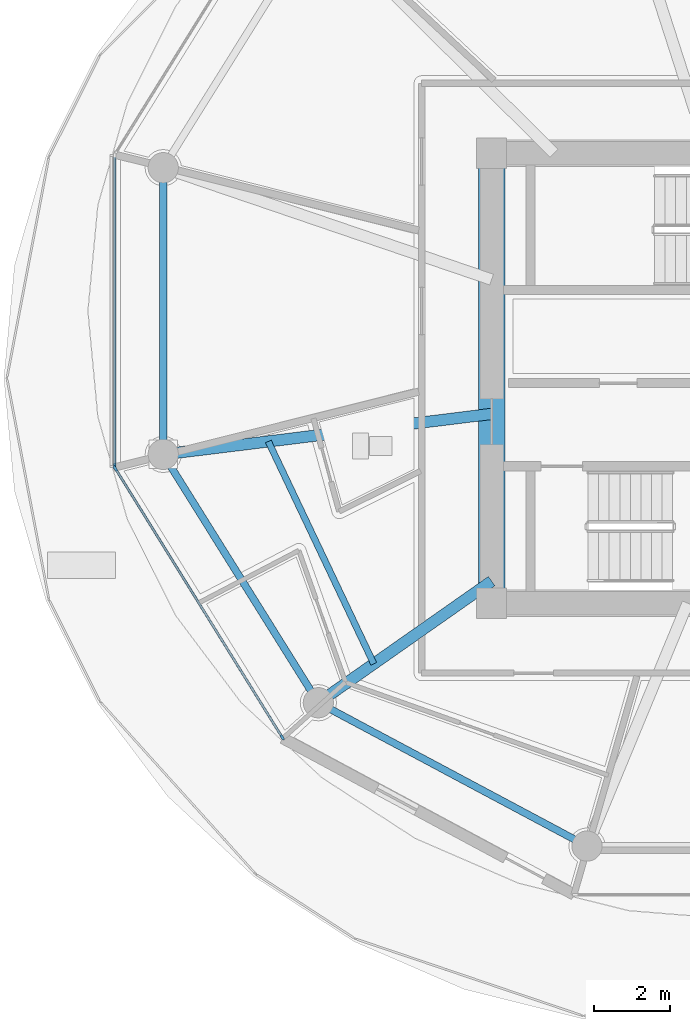
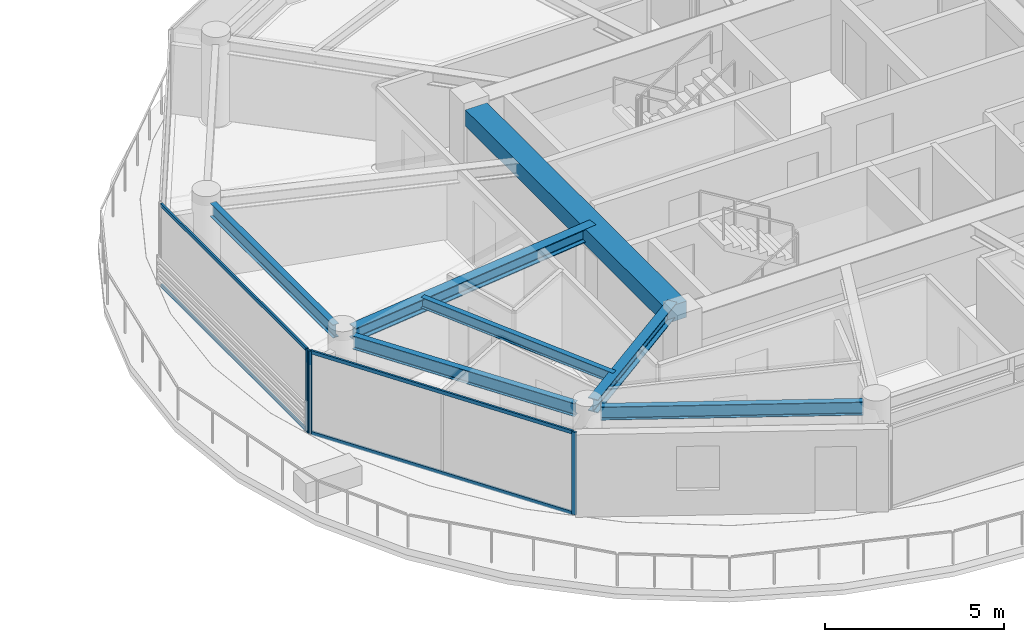
# One storey, part 6 of 28: 7 beams, 7 members, 2 elements without a shape of their own.
"""IFC4 building model written with IfcOpenShell, lengths in metres."""

import ifcopenshell
import ifcopenshell.guid

model = None  # the IFC model being written
_history = None  # IfcOwnerHistory: only IFC2X3 demands one
_inside = {}  # id of a spatial element -> (the spatial element, [elements in it])
_under = {}  # id of a project, library or spatial element -> (it, [spatial elements below it])
_declared = {}  # id of a project -> (the project, [libraries it declares])
_typed = {}  # id of a type object -> (the type object, [elements of that type])
_made_of = {}  # id of a material, layer set ... -> (it, [elements and type objects made of it])


def new_model(schema):
    """Start an empty IFC model of exactly this schema.

    Asked for "IFC4X3", IfcOpenShell would pick the latest addendum, in which some entities
    have other attributes; the version numbers below select the first issue.
    IFC2X3 requires an IfcOwnerHistory on every rooted entity: one is made here for all.
    """
    global model, _history
    if schema == "IFC4X3":
        model = ifcopenshell.file(schema_version=(4, 3, 0, 0))
    else:
        model = ifcopenshell.file(schema=schema)
    _inside.clear()
    _under.clear()
    _declared.clear()
    _typed.clear()
    _made_of.clear()
    _history = None
    if model.schema == "IFC2X3":
        org = make("IfcOrganization", Name="unknown")
        user = make(
            "IfcPersonAndOrganization",
            ThePerson=make("IfcPerson", FamilyName="unknown"),
            TheOrganization=org,
        )
        app = make(
            "IfcApplication",
            ApplicationDeveloper=org,
            Version="unknown",
            ApplicationFullName="unknown",
            ApplicationIdentifier="unknown",
        )
        _history = make(
            "IfcOwnerHistory",
            OwningUser=user,
            OwningApplication=app,
            ChangeAction="ADDED",
            CreationDate=0,
        )
    return model


def make(cls, **values):
    """One entity of the class cls with the attributes given. An attribute that is None is left unset."""
    return model.create_entity(
        cls, **{name: value for name, value in values.items() if value is not None}
    )


def rooted(cls, **values):
    """An entity with a GlobalId (a new one), such as an element, a storey or a relation."""
    return make(cls, GlobalId=ifcopenshell.guid.new(), OwnerHistory=_history, **values)


def si_unit(unit_type, name, prefix=None):
    """IfcSIUnit, for example si_unit("LENGTHUNIT", "METRE", prefix="MILLI")."""
    return make("IfcSIUnit", UnitType=unit_type, Prefix=prefix, Name=name)


def assignment(units):
    """IfcUnitAssignment: the units of a project."""
    return None if units is None else make("IfcUnitAssignment", Units=units)


def point(xyz):
    """IfcCartesianPoint."""
    return None if xyz is None else make("IfcCartesianPoint", Coordinates=xyz)


def direction(xyz):
    """IfcDirection."""
    return None if xyz is None else make("IfcDirection", DirectionRatios=xyz)


def frame(location, z_axis=None, x_axis=None):
    """IfcAxis2Placement3D, a coordinate frame: its origin and axes. An axis left out is left unset."""
    return make(
        "IfcAxis2Placement3D",
        Location=point(location),
        Axis=direction(z_axis),
        RefDirection=direction(x_axis),
    )


def frame_2d(location, x_axis=None):
    """IfcAxis2Placement2D, a coordinate frame in the plane: its origin and x axis."""
    return make(
        "IfcAxis2Placement2D", Location=point(location), RefDirection=direction(x_axis)
    )


def origin():
    """The frame at (0, 0, 0) with its axes left unset."""
    return frame((0.0, 0.0, 0.0))


def origin_2d():
    """The frame at (0, 0) in the plane with its x axis left unset."""
    return frame_2d((0.0, 0.0))


def place(relative_to, where):
    """IfcLocalPlacement: puts the frame where relative to a parent placement (None: the world)."""
    return make(
        "IfcLocalPlacement", PlacementRelTo=relative_to, RelativePlacement=where
    )


def context(
    kind, dimensions, precision=None, world=None, true_north=None, identifier=None
):
    """IfcGeometricRepresentationContext, for example the 3D "Model" context."""
    return make(
        "IfcGeometricRepresentationContext",
        ContextIdentifier=identifier,
        ContextType=kind,
        CoordinateSpaceDimension=dimensions,
        Precision=precision,
        WorldCoordinateSystem=world,
        TrueNorth=true_north,
    )


def subcontext(parent, identifier, kind, view, scale=None):
    """IfcGeometricRepresentationSubContext, for example "Body" below "Model"."""
    return make(
        "IfcGeometricRepresentationSubContext",
        ContextIdentifier=identifier,
        ContextType=kind,
        ParentContext=parent,
        TargetScale=scale,
        TargetView=view,
    )


def project(units=None, contexts=None):
    """IfcProject with its units and contexts."""
    return rooted(
        "IfcProject",
        Name="project",
        RepresentationContexts=contexts,
        UnitsInContext=assignment(units),
    )


def spatial(cls, under=None, at=None, **own):
    """A site, building, storey or space (cls), placed at a placement, below another one or the project."""
    s = rooted(cls, ObjectPlacement=at, **own)
    if under is not None:
        _under.setdefault(under.id(), (under, []))[1].append(s)
    return s


def profile(cls, at=None, kind="AREA", **sizes):
    """A parametric profile (cls). Its sizes go by their IFC names, for example OverallWidth=200.0."""
    return make(cls, ProfileType=kind, Position=at, **sizes)


def rectangle(**sizes):
    """IfcRectangleProfileDef."""
    return profile("IfcRectangleProfileDef", **sizes)


def i_section(**sizes):
    """IfcIShapeProfileDef."""
    return profile("IfcIShapeProfileDef", **sizes)


def extrude(swept, where, along, depth):
    """IfcExtrudedAreaSolid: the profile swept, set in the frame where, extruded along a direction by depth."""
    return make(
        "IfcExtrudedAreaSolid",
        SweptArea=swept,
        Position=where,
        ExtrudedDirection=direction(along),
        Depth=depth,
    )


def shape(context_of_items, identifier, shape_type, items):
    """IfcShapeRepresentation: the items that make up one representation, for example the "Body"."""
    return make(
        "IfcShapeRepresentation",
        ContextOfItems=context_of_items,
        RepresentationIdentifier=identifier,
        RepresentationType=shape_type,
        Items=items,
    )


def source(mapping_origin, context_of_items, identifier, shape_type, items):
    """IfcRepresentationMap: a shape defined once, which mapped items show again and again."""
    return make(
        "IfcRepresentationMap",
        MappingOrigin=mapping_origin,
        MappedRepresentation=shape(context_of_items, identifier, shape_type, items),
    )


def transform(
    local_origin,
    x_axis=None,
    y_axis=None,
    z_axis=None,
    scale=None,
    scale2=None,
    scale3=None,
    uniform=True,
):
    """IfcCartesianTransformationOperator3D, or its non-uniform kind. x_axis, y_axis, z_axis: its Axis1, 2, 3."""
    if uniform:
        return make(
            "IfcCartesianTransformationOperator3D",
            Axis1=direction(x_axis),
            Axis2=direction(y_axis),
            LocalOrigin=point(local_origin),
            Scale=scale,
            Axis3=direction(z_axis),
        )
    return make(
        "IfcCartesianTransformationOperator3DnonUniform",
        Axis1=direction(x_axis),
        Axis2=direction(y_axis),
        LocalOrigin=point(local_origin),
        Scale=scale,
        Axis3=direction(z_axis),
        Scale2=scale2,
        Scale3=scale3,
    )


def mapped(mapping_source, mapping_target):
    """IfcMappedItem: shows the shape of a source again, moved by a transform."""
    return make(
        "IfcMappedItem", MappingSource=mapping_source, MappingTarget=mapping_target
    )


def material(Name=None, Category=None):
    """IfcMaterial."""
    return make("IfcMaterial", Name=Name, Category=Category)


def layer(
    of_material, thickness, ventilated=None, Name=None, Category=None, Priority=None
):
    """IfcMaterialLayer: one layer of a wall or slab, of a material (None: an air gap)."""
    return make(
        "IfcMaterialLayer",
        Material=of_material,
        LayerThickness=thickness,
        IsVentilated=ventilated,
        Name=Name,
        Category=Category,
        Priority=Priority,
    )


def layer_set(layers, Name=None):
    """IfcMaterialLayerSet."""
    return make("IfcMaterialLayerSet", MaterialLayers=layers, LayerSetName=Name)


def material_profile(
    of_material, cross_section, Name=None, Category=None, Priority=None
):
    """IfcMaterialProfile: a cross section and its material."""
    return make(
        "IfcMaterialProfile",
        Name=Name,
        Material=of_material,
        Profile=cross_section,
        Priority=Priority,
        Category=Category,
    )


def profile_set(profiles, Name=None, composite=None):
    """IfcMaterialProfileSet."""
    return make(
        "IfcMaterialProfileSet",
        Name=Name,
        MaterialProfiles=profiles,
        CompositeProfile=composite,
    )


def made_of(thing, what):
    """Note that an element or type object is made of a material, layer set ...; save() writes the relation."""
    if what is not None:
        _made_of.setdefault(what.id(), (what, []))[1].append(thing)
    return thing


def type_object(cls, material=None, **own):
    """A type object (cls), such as IfcWallType, which elements share."""
    return made_of(rooted(cls, **own), material)


def type_shapes(of_type, sources):
    """Give a type object the sources (RepresentationMaps) that its elements show as mapped items."""
    of_type.RepresentationMaps = sources


def element(
    cls,
    number,
    at=None,
    inside=None,
    cuts=None,
    type_object=None,
    material=None,
    context=None,
    identifier="Body",
    shape_type=None,
    held_by="IfcProductDefinitionShape",
    body=None,
    shapes=None,
    **own,
):
    """One element of the class cls, such as IfcWall. Its Tag is "e" and its number.

    at: its placement. inside: the storey or other place that contains it. cuts: it is an
    opening in that element (IfcRelVoidsElement). A single representation is given by context,
    identifier, shape_type and body (its items); several are given by shapes. held_by: the class
    of the entity that holds the representations. save() writes the other relations.
    """
    e = rooted(cls, Tag="e%d" % number, ObjectPlacement=at, **own)
    if body is not None:
        shapes = [shape(context, identifier, shape_type, body)]
    if shapes is not None:
        e.Representation = make(held_by, Representations=shapes)
    if inside is not None:
        _inside.setdefault(inside.id(), (inside, []))[1].append(e)
    if cuts is not None:
        rooted(
            "IfcRelVoidsElement", RelatingBuildingElement=cuts, RelatedOpeningElement=e
        )
    if type_object is not None:
        _typed.setdefault(type_object.id(), (type_object, []))[1].append(e)
    return made_of(e, material)


def aggregate(whole, parts):
    """IfcRelAggregates: a whole, such as a stair, and the parts it consists of."""
    return rooted("IfcRelAggregates", RelatingObject=whole, RelatedObjects=parts)


def save(model, path):
    """Write the relations noted so far, then the file.

    IfcRelAggregates (storeys below a building ...), IfcRelContainedInSpatialStructure (elements
    in a storey), IfcRelDefinesByType, IfcRelAssociatesMaterial and IfcRelDeclares: one each for
    every whole, place, type object, material and project.
    """
    for whole, parts in _under.values():
        aggregate(whole, parts)
    for where, things in _inside.values():
        rooted(
            "IfcRelContainedInSpatialStructure",
            RelatedElements=things,
            RelatingStructure=where,
        )
    for kind, things in _typed.values():
        rooted("IfcRelDefinesByType", RelatedObjects=things, RelatingType=kind)
    for what, things in _made_of.values():
        rooted("IfcRelAssociatesMaterial", RelatedObjects=things, RelatingMaterial=what)
    for by, libraries in _declared.values():
        rooted("IfcRelDeclares", RelatingContext=by, RelatedDefinitions=libraries)
    model.write(path)


model = new_model("IFC4")

# Units and contexts
model_context = context("Model", 3, precision=1e-05, world=origin(), true_north=direction((0.0, 1.0)))
body_context = subcontext(model_context, "Body", "Model", "MODEL_VIEW")
ifc_project = project(units=[si_unit("LENGTHUNIT", "METRE"), si_unit("AREAUNIT", "SQUARE_METRE"), si_unit("VOLUMEUNIT", "CUBIC_METRE"), si_unit("PLANEANGLEUNIT", "RADIAN"), si_unit("MASSUNIT", "GRAM", prefix="KILO")], contexts=[model_context])

# Site, building, storey
site_placement = place(None, origin())
site = spatial("IfcSite", under=ifc_project, at=site_placement, CompositionType="ELEMENT")
building_placement = place(site_placement, origin())
building = spatial("IfcBuilding", under=site, at=building_placement, Name="Norrkilde Senior Care Towers", CompositionType="ELEMENT")
storey_placement = place(building_placement, frame((0.0, 0.0, 134.300048828125)))
storey = spatial("IfcBuildingStorey", under=building, at=storey_placement, Name="L41", CompositionType="ELEMENT", Elevation=134.300048828125)

# Beams
ifc_material_1 = material(Name="Concrete C60/75", Category="concrete")
ifc_material_profile_1 = material_profile(ifc_material_1, rectangle(XDim=0.699951171875, YDim=0.550048828125, at=origin_2d()), Name="RC BM 700x550")
ifc_profile_set_1 = profile_set([ifc_material_profile_1], Name="Concrete C60/75")
beam_type_1 = type_object("IfcBeamType", Name="Core Portal Coupling Beam 700x550", PredefinedType="USERDEFINED", material=ifc_profile_set_1)
shared_shape_1 = source(origin(), body_context, "Body", "SweptSolid", [
    extrude(rectangle(XDim=0.699951171875, YDim=0.550048828125, at=origin_2d()), origin(), (0.0, 0.0, 1.0), 11.14013671875),
])
type_shapes(beam_type_1, [shared_shape_1])
beam_1_placement = place(storey_placement, frame((20.35009765625, -5.570068359375, 2.534912109375), z_axis=(0.0, 1.0, 0.0), x_axis=(-1.0, 0.0, 0.0)))
element("IfcBeam", 1, at=beam_1_placement, inside=storey, type_object=beam_type_1, Name="L41 Core E W Coupling Girder", ObjectType="GIRDER", PredefinedType="USERDEFINED", context=body_context, shape_type="MappedRepresentation", body=[
    mapped(shared_shape_1, transform((0.0, 0.0, 0.0), x_axis=(1.0, 0.0, 0.0), y_axis=(0.0, 1.0, 0.0), z_axis=(0.0, 0.0, 1.0), scale=1.0)),
])
ifc_material_2 = material(Name="Steel S355", Category="steel")
ifc_material_profile_2 = material_profile(ifc_material_2, i_section(OverallWidth=0.18994140625, OverallDepth=0.449951171875, WebThickness=0.009521484375, FlangeThickness=0.0146484375, FilletRadius=0.02099609375, at=origin_2d()), Name="IPE 450")
ifc_profile_set_2 = profile_set([ifc_material_profile_2], Name="Steel S355")
beam_type_2 = type_object("IfcBeamType", Name="Perimeter Ring Spandrel Z3 IPE450", PredefinedType="SPANDREL", material=ifc_profile_set_2)
shared_shape_2 = source(origin(), body_context, "Body", "SweptSolid", [
    extrude(i_section(OverallWidth=0.18994140625, OverallDepth=0.449951171875, WebThickness=0.009521484375, FlangeThickness=0.0146484375, FilletRadius=0.02099609375, at=origin_2d()), origin(), (0.0, 0.0, 1.0), 6.86328125),
])
beam_2_placement = place(storey_placement, frame((11.6650390625, 5.20703125, 2.5849609375), z_axis=(0.0, -1.0, 0.0), x_axis=(1.0, 0.0, 0.0)))
element("IfcBeam", 2, at=beam_2_placement, inside=storey, type_object=beam_type_2, Name="L41 Drum E Perimeter Spandrel 06", PredefinedType="SPANDREL", context=body_context, shape_type="MappedRepresentation", body=[
    mapped(shared_shape_2, transform((0.0, 0.0, 0.0), x_axis=(1.0, 0.0, 0.0), y_axis=(0.0, 1.0, 0.0), z_axis=(0.0, 0.0, 1.0), scale=1.0)),
])
shared_shape_3 = source(origin(), body_context, "Body", "SweptSolid", [
    extrude(i_section(OverallWidth=0.18994140625, OverallDepth=0.449951171875, WebThickness=0.009521484375, FlangeThickness=0.0146484375, FilletRadius=0.02099609375, at=origin_2d()), origin(), (0.0, 0.0, 1.0), 7.023193359375),
])
beam_3_placement = place(storey_placement, frame((11.855712890625, -2.32177734375, 2.5849609375), z_axis=(0.529805197269, -0.848119362441, 0.0), x_axis=(0.848119362441, 0.529805197269, 0.0)))
element("IfcBeam", 3, at=beam_3_placement, inside=storey, type_object=beam_type_2, Name="L41 Drum E Perimeter Spandrel 07", PredefinedType="SPANDREL", context=body_context, shape_type="MappedRepresentation", body=[
    mapped(shared_shape_3, transform((0.0, 0.0, 0.0), x_axis=(1.0, 0.0, 0.0), y_axis=(0.0, 1.0, 0.0), z_axis=(0.0, 0.0, 1.0), scale=1.0)),
])
shared_shape_4 = source(origin(), body_context, "Body", "SweptSolid", [
    extrude(i_section(OverallWidth=0.18994140625, OverallDepth=0.449951171875, WebThickness=0.009521484375, FlangeThickness=0.0146484375, FilletRadius=0.02099609375, at=origin_2d()), origin(), (0.0, 0.0, 1.0), 7.333984375),
])
type_shapes(beam_type_2, [shared_shape_2, shared_shape_3, shared_shape_4])
beam_4_placement = place(storey_placement, frame((16.0849609375, -8.753173828125, 2.5849609375), z_axis=(0.882234038987, -0.470811109101, 0.0), x_axis=(0.470811109101, 0.882234038987, 0.0)))
element("IfcBeam", 4, at=beam_4_placement, inside=storey, type_object=beam_type_2, Name="L41 Drum E Perimeter Spandrel 08", PredefinedType="SPANDREL", context=body_context, shape_type="MappedRepresentation", body=[
    mapped(shared_shape_4, transform((0.0, 0.0, 0.0), x_axis=(1.0, 0.0, 0.0), y_axis=(0.0, 1.0, 0.0), z_axis=(0.0, 0.0, 1.0), scale=1.0)),
])
ifc_material_profile_3 = material_profile(ifc_material_2, i_section(OverallWidth=0.300048828125, OverallDepth=0.449951171875, WebThickness=0.013916015625, FlangeThickness=0.02587890625, FilletRadius=0.027099609375, at=origin_2d()), Name="HEB 450")
ifc_profile_set_3 = profile_set([ifc_material_profile_3], Name="Steel S355")
beam_type_3 = type_object("IfcBeamType", Name="Radial Floor Beam Z3 HEB450", PredefinedType="BEAM", material=ifc_profile_set_3)
shared_shape_5 = source(origin(), body_context, "Body", "SweptSolid", [
    extrude(i_section(OverallWidth=0.300048828125, OverallDepth=0.449951171875, WebThickness=0.013916015625, FlangeThickness=0.02587890625, FilletRadius=0.027099609375, at=origin_2d()), origin(), (0.0, 0.0, 1.0), 5.23828125),
])
beam_5_placement = place(storey_placement, frame((20.35009765625, -5.3681640625, 2.5849609375), z_axis=(-0.818592061291, -0.574375345215, 0.0), x_axis=(0.574375345215, -0.818592061291, 0.0)))
element("IfcBeam", 5, at=beam_5_placement, inside=storey, type_object=beam_type_3, Name="L41 Drum E Radial Floor Beam 08", PredefinedType="BEAM", context=body_context, shape_type="MappedRepresentation", body=[
    mapped(shared_shape_5, transform((0.0, 0.0, 0.0), x_axis=(1.0, 0.0, 0.0), y_axis=(0.0, 1.0, 0.0), z_axis=(0.0, 0.0, 1.0), scale=1.0)),
])
shared_shape_6 = source(origin(), body_context, "Body", "SweptSolid", [
    extrude(i_section(OverallWidth=0.300048828125, OverallDepth=0.449951171875, WebThickness=0.013916015625, FlangeThickness=0.02587890625, FilletRadius=0.027099609375, at=origin_2d()), origin(), (0.0, 0.0, 1.0), 8.390869140625),
])
type_shapes(beam_type_3, [shared_shape_5, shared_shape_6])
beam_6_placement = place(storey_placement, frame((20.35009765625, -0.9443359375, 2.5849609375), z_axis=(-0.99246916403, -0.122494728249, 0.0), x_axis=(0.122494728249, -0.99246916403, 0.0)))
element("IfcBeam", 6, at=beam_6_placement, inside=storey, type_object=beam_type_3, Name="L41 Drum E Radial Floor Beam 07", PredefinedType="BEAM", context=body_context, shape_type="MappedRepresentation", body=[
    mapped(shared_shape_6, transform((0.0, 0.0, 0.0), x_axis=(1.0, 0.0, 0.0), y_axis=(0.0, 1.0, 0.0), z_axis=(0.0, 0.0, 1.0), scale=1.0)),
])
ifc_material_profile_4 = material_profile(ifc_material_2, i_section(OverallWidth=0.169921875, OverallDepth=0.360107421875, WebThickness=0.008056640625, FlangeThickness=0.0126953125, FilletRadius=0.01806640625, at=origin_2d()), Name="IPE 360")
ifc_profile_set_4 = profile_set([ifc_material_profile_4], Name="Steel S355")
beam_type_4 = type_object("IfcBeamType", Name="Secondary Floor Joist IPE360", PredefinedType="JOIST", material=ifc_profile_set_4)
shared_shape_7 = source(origin(), body_context, "Body", "SweptSolid", [
    extrude(i_section(OverallWidth=0.169921875, OverallDepth=0.360107421875, WebThickness=0.008056640625, FlangeThickness=0.0126953125, FilletRadius=0.01806640625, at=origin_2d()), origin(), (0.0, 0.0, 1.0), 6.50927734375),
])
type_shapes(beam_type_4, [shared_shape_7])
beam_7_placement = place(storey_placement, frame((14.4443359375, -1.67333984375, 2.6298828125), z_axis=(0.428544169129, -0.90352083269, 0.0), x_axis=(0.90352083269, 0.428544169129, 0.0)))
element("IfcBeam", 7, at=beam_7_placement, inside=storey, type_object=beam_type_4, Name="L41 Drum E Secondary Floor Joist 3", PredefinedType="JOIST", context=body_context, shape_type="MappedRepresentation", body=[
    mapped(shared_shape_7, transform((0.0, 0.0, 0.0), x_axis=(1.0, 0.0, 0.0), y_axis=(0.0, 1.0, 0.0), z_axis=(0.0, 0.0, 1.0), scale=1.0)),
])

# Curtain wall, member
ifc_material_3 = material(Name="Triple Low-E Insulated Glazing", Category="glass")
ifc_layer = layer(ifc_material_3, 0.18994140625)
ifc_layer_set = layer_set([ifc_layer], Name="Triple Low-E Insulated Glazing")
curtain_wall_type = type_object("IfcCurtainWallType", Name="CW4 Zone 3 Senior Residence Curtain Wall", PredefinedType="NOTDEFINED", material=ifc_layer_set)
curtain_wall_1_placement = place(storey_placement, origin())
curtain_wall_1 = element("IfcCurtainWall", 8, at=curtain_wall_1_placement, inside=storey, type_object=curtain_wall_type, Name="L41 Drum E Curtain Wall 05", PredefinedType="NOTDEFINED")
ifc_material_4 = material(Name="Anodised Aluminium", Category="aluminium")
ifc_material_profile_5 = material_profile(ifc_material_4, rectangle(XDim=0.06494140625, YDim=0.14990234375, at=origin_2d()), Name="ALU MULL 65x150")
ifc_profile_set_5 = profile_set([ifc_material_profile_5], Name="Anodised Aluminium")
member_type_1 = type_object("IfcMemberType", Name="Curtain Wall Mullion Z3-Z4 65x150", PredefinedType="MULLION", material=ifc_profile_set_5)
shared_shape_8 = source(origin(), body_context, "Body", "SweptSolid", [
    extrude(rectangle(XDim=0.06494140625, YDim=0.14990234375, at=origin_2d()), origin(), (0.0, 0.0, 1.0), 2.81005859375),
])
type_shapes(member_type_1, [shared_shape_8])
member_1_placement = place(storey_placement, frame((10.38037109375, -2.328125, 0.0), z_axis=(0.0, 0.0, 1.0), x_axis=(-1.0, 0.0, 0.0)))
member_1 = element("IfcMember", 9, at=member_1_placement, type_object=member_type_1, Name="CW-4 mullion 1", PredefinedType="MULLION", context=body_context, shape_type="MappedRepresentation", body=[
    mapped(shared_shape_8, transform((0.0, 0.0, 0.0), x_axis=(1.0, 0.0, 0.0), y_axis=(0.0, 1.0, 0.0), z_axis=(0.0, 0.0, 1.0), scale=1.0)),
])

# Curtain wall, members
curtain_wall_2_placement = place(storey_placement, origin())
curtain_wall_2 = element("IfcCurtainWall", 10, at=curtain_wall_2_placement, inside=storey, type_object=curtain_wall_type, Name="L41 Drum E Curtain Wall 06", PredefinedType="NOTDEFINED")
member_2_placement = place(storey_placement, frame((14.809814453125, -9.49658203125, 0.0), z_axis=(0.0, 0.0, 1.0), x_axis=(-0.84963405474, -0.52737270789, 0.0)))
member_2 = element("IfcMember", 11, at=member_2_placement, type_object=member_type_1, Name="CW-4 mullion 1", PredefinedType="MULLION", context=body_context, shape_type="MappedRepresentation", body=[
    mapped(shared_shape_8, transform((0.0, 0.0, 0.0), x_axis=(1.0, 0.0, 0.0), y_axis=(0.0, 1.0, 0.0), z_axis=(0.0, 0.0, 1.0), scale=1.0)),
])
member_3_placement = place(storey_placement, frame((10.3974609375, -2.38818359375, 0.0), z_axis=(0.0, 0.0, 1.0), x_axis=(-0.84963405474, -0.52737270789, 0.0)))
member_3 = element("IfcMember", 12, at=member_3_placement, type_object=member_type_1, Name="CW-4 mullion 2", PredefinedType="MULLION", context=body_context, shape_type="MappedRepresentation", body=[
    mapped(shared_shape_8, transform((0.0, 0.0, 0.0), x_axis=(1.0, 0.0, 0.0), y_axis=(0.0, 1.0, 0.0), z_axis=(0.0, 0.0, 1.0), scale=1.0)),
])
ifc_material_profile_6 = material_profile(ifc_material_4, rectangle(XDim=0.06005859375, YDim=0.1201171875, at=origin_2d()), Name="ALU TRAN 60x120")
ifc_profile_set_6 = profile_set([ifc_material_profile_6], Name="Anodised Aluminium")
member_type_2 = type_object("IfcMemberType", Name="Curtain Wall Transom Typical 60x120", PredefinedType="USERDEFINED", material=ifc_profile_set_6)
shared_shape_9 = source(origin(), body_context, "Body", "SweptSolid", [
    extrude(rectangle(XDim=0.06005859375, YDim=0.1201171875, at=origin_2d()), origin(), (0.0, 0.0, 1.0), 8.301513671875),
])
member_4_placement = place(storey_placement, frame((14.792724609375, -9.468994140625, 0.030029296875), z_axis=(-0.527368718394, 0.849636531029, 0.0), x_axis=(-0.849636531029, -0.527368718394, 0.0)))
member_4 = element("IfcMember", 13, at=member_4_placement, type_object=member_type_2, Name="CW-4 transom 1.1", ObjectType="TRANSOM", PredefinedType="USERDEFINED", context=body_context, shape_type="MappedRepresentation", body=[
    mapped(shared_shape_9, transform((0.0, 0.0, 0.0), x_axis=(1.0, 0.0, 0.0), y_axis=(0.0, 1.0, 0.0), z_axis=(0.0, 0.0, 1.0), scale=1.0)),
])
member_5_placement = place(storey_placement, frame((14.792724609375, -9.468994140625, 2.780029296875), z_axis=(-0.527368718394, 0.849636531029, 0.0), x_axis=(-0.849636531029, -0.527368718394, 0.0)))
member_5 = element("IfcMember", 14, at=member_5_placement, type_object=member_type_2, Name="CW-4 transom 1.2", ObjectType="TRANSOM", PredefinedType="USERDEFINED", context=body_context, shape_type="MappedRepresentation", body=[
    mapped(shared_shape_9, transform((0.0, 0.0, 0.0), x_axis=(1.0, 0.0, 0.0), y_axis=(0.0, 1.0, 0.0), z_axis=(0.0, 0.0, 1.0), scale=1.0)),
])
aggregate(curtain_wall_2, [member_2, member_3, member_4, member_5])

# Member
shared_shape_10 = source(origin(), body_context, "Body", "SweptSolid", [
    extrude(rectangle(XDim=0.06005859375, YDim=0.1201171875, at=origin_2d()), origin(), (0.0, 0.0, 1.0), 8.141845703125),
])
type_shapes(member_type_2, [shared_shape_9, shared_shape_10])
member_6_placement = place(storey_placement, frame((10.38037109375, -2.295654296875, 0.030029296875), z_axis=(0.0, 1.0, 0.0), x_axis=(-1.0, 0.0, 0.0)))
member_6 = element("IfcMember", 15, at=member_6_placement, type_object=member_type_2, Name="CW-4 transom 1.1", ObjectType="TRANSOM", PredefinedType="USERDEFINED", context=body_context, shape_type="MappedRepresentation", body=[
    mapped(shared_shape_10, transform((0.0, 0.0, 0.0), x_axis=(1.0, 0.0, 0.0), y_axis=(0.0, 1.0, 0.0), z_axis=(0.0, 0.0, 1.0), scale=1.0)),
])

member_7_placement = place(storey_placement, frame((10.38037109375, -2.295654296875, 2.780029296875), z_axis=(0.0, 1.0, 0.0), x_axis=(-1.0, 0.0, 0.0)))
member_7 = element("IfcMember", 16, at=member_7_placement, type_object=member_type_2, Name="CW-4 transom 1.2", ObjectType="TRANSOM", PredefinedType="USERDEFINED", context=body_context, shape_type="MappedRepresentation", body=[
    mapped(shared_shape_10, transform((0.0, 0.0, 0.0), x_axis=(1.0, 0.0, 0.0), y_axis=(0.0, 1.0, 0.0), z_axis=(0.0, 0.0, 1.0), scale=1.0)),
])

aggregate(curtain_wall_1, [member_1, member_6, member_7])

save(model, "model.ifc")
